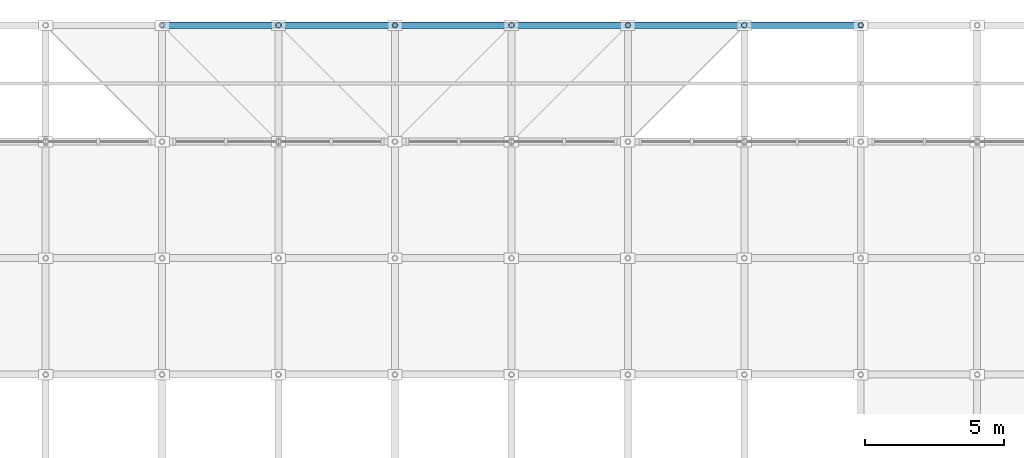
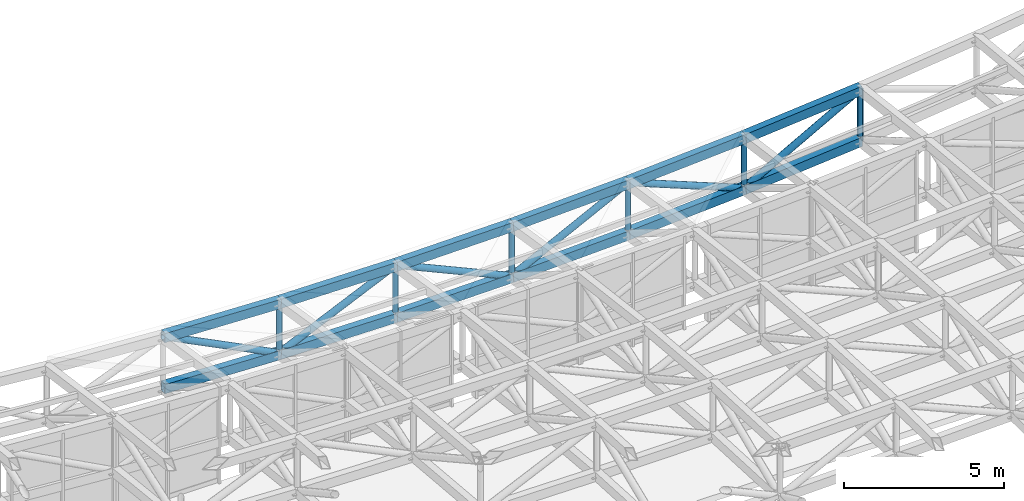
# One storey, part 56 of 111: 24 members.
"""IFC4 building model written with IfcOpenShell, lengths in metres."""

from ifc_helpers import new_model, si_unit, direction, frame, origin, origin_2d, place, context, subcontext, project, spatial, hollow_rectangle, hollow_circle, extrude, material, material_profile, profile_set, type_object, element, save


model = new_model("IFC4")

# Units and contexts
model_context = context("Model", 3, precision=1e-05, world=origin(), true_north=direction((0.0, 1.0)))
body_context = subcontext(model_context, "Body", "Model", "MODEL_VIEW")
ifc_project = project(units=[si_unit("LENGTHUNIT", "METRE"), si_unit("AREAUNIT", "SQUARE_METRE"), si_unit("VOLUMEUNIT", "CUBIC_METRE"), si_unit("PLANEANGLEUNIT", "RADIAN"), si_unit("MASSUNIT", "GRAM", prefix="KILO")], contexts=[model_context])

# Site, building, storey
site_placement = place(None, origin())
site = spatial("IfcSite", under=ifc_project, at=site_placement, CompositionType="ELEMENT")
building_placement = place(site_placement, origin())
building = spatial("IfcBuilding", under=site, at=building_placement, Name="Cumbredor Promenade Congress Hotel", CompositionType="ELEMENT")
storey_placement = place(building_placement, frame((0.0, 0.0, 15.1201171875)))
storey = spatial("IfcBuildingStorey", under=building, at=storey_placement, Name="L04", CompositionType="ELEMENT", Elevation=15.1201171875)

# Members
ifc_material = material(Name="Steel ASTM A500 Grade C", Category="steel")
ifc_material_profile_1 = material_profile(ifc_material, hollow_rectangle(XDim=0.25, YDim=0.35009765625, WallThickness=0.01611328125, at=origin_2d()), Name="HSS 350x250x16")
ifc_profile_set_1 = profile_set([ifc_material_profile_1], Name="Steel ASTM A500 Grade C")
member_type_1 = type_object("IfcMemberType", Name="Forum Roof Truss Chord", PredefinedType="CHORD", material=ifc_profile_set_1)
for number, where, z_axis, x_axis, name in (
    (1, (126.0, 121.800048828125, 2.85498046875), (0.999286944012, 0.0, -0.037757165239), (0.0, 1.0, 0.0), "Pre-Function and Breakout Meeting Forum X Top Chord 10.11"),
    (2, (126.0, 121.800048828125, 0.905029296875), (0.999286944012, 0.0, -0.037757165239), (0.0, 1.0, 0.0), "Pre-Function and Breakout Meeting Forum X Bottom Chord 10.11"),
):
    element("IfcMember", number, at=place(storey_placement, frame(where, z_axis=z_axis, x_axis=x_axis)), inside=storey, type_object=member_type_1, Name=name, PredefinedType="CHORD", context=body_context, shape_type="SweptSolid", body=[
        extrude(hollow_rectangle(XDim=0.25, YDim=0.35009765625, WallThickness=0.01611328125, at=origin_2d()), origin(), (0.0, 0.0, 1.0), 4.202880859375),
    ])
for number, where, z_axis, x_axis, name in (
    (3, (130.199951171875, 121.800048828125, 2.6962890625), (0.999921183385, 0.0, -0.012554959926), (0.0, 1.0, 0.0), "Pre-Function and Breakout Meeting Forum X Top Chord 11.11"),
    (4, (130.199951171875, 121.800048828125, 0.746337890625), (0.999921183385, 0.0, -0.012554959926), (0.0, 1.0, 0.0), "Pre-Function and Breakout Meeting Forum X Bottom Chord 11.11"),
):
    element("IfcMember", number, at=place(storey_placement, frame(where, z_axis=z_axis, x_axis=x_axis)), inside=storey, type_object=member_type_1, Name=name, PredefinedType="CHORD", context=body_context, shape_type="SweptSolid", body=[
        extrude(hollow_rectangle(XDim=0.25, YDim=0.35009765625, WallThickness=0.01611328125, at=origin_2d()), origin(), (0.0, 0.0, 1.0), 4.2001953125),
    ])
for number, where, z_axis, x_axis, name in (
    (5, (134.39990234375, 121.800048828125, 2.6435546875), (0.999921192546, 0.0, 0.012554230271), (0.0, 1.0, 0.0), "Pre-Function and Breakout Meeting Forum X Top Chord 12.11"),
    (6, (134.39990234375, 121.800048828125, 0.693603515625), (0.999921192546, 0.0, 0.012554230271), (0.0, 1.0, 0.0), "Pre-Function and Breakout Meeting Forum X Bottom Chord 12.11"),
):
    element("IfcMember", number, at=place(storey_placement, frame(where, z_axis=z_axis, x_axis=x_axis)), inside=storey, type_object=member_type_1, Name=name, PredefinedType="CHORD", context=body_context, shape_type="SweptSolid", body=[
        extrude(hollow_rectangle(XDim=0.25, YDim=0.35009765625, WallThickness=0.01611328125, at=origin_2d()), origin(), (0.0, 0.0, 1.0), 4.200439453125),
    ])
for number, where, z_axis, x_axis, name in (
    (7, (138.60009765625, 121.800048828125, 2.6962890625), (0.999286944012, 0.0, 0.037757165239), (0.0, 1.0, 0.0), "Pre-Function and Breakout Meeting Forum X Top Chord 13.11"),
    (8, (138.60009765625, 121.800048828125, 0.746337890625), (0.999286944012, 0.0, 0.037757165239), (0.0, 1.0, 0.0), "Pre-Function and Breakout Meeting Forum X Bottom Chord 13.11"),
):
    element("IfcMember", number, at=place(storey_placement, frame(where, z_axis=z_axis, x_axis=x_axis)), inside=storey, type_object=member_type_1, Name=name, PredefinedType="CHORD", context=body_context, shape_type="SweptSolid", body=[
        extrude(hollow_rectangle(XDim=0.25, YDim=0.35009765625, WallThickness=0.01611328125, at=origin_2d()), origin(), (0.0, 0.0, 1.0), 4.202880859375),
    ])
for number, where, z_axis, x_axis, name in (
    (9, (142.800048828125, 121.800048828125, 2.85498046875), (0.998024259177, 0.0, 0.06282975485), (0.0, 1.0, 0.0), "Pre-Function and Breakout Meeting Forum X Top Chord 14.11"),
    (10, (142.800048828125, 121.800048828125, 0.905029296875), (0.998024259177, 0.0, 0.06282975485), (0.0, 1.0, 0.0), "Pre-Function and Breakout Meeting Forum X Bottom Chord 14.11"),
):
    element("IfcMember", number, at=place(storey_placement, frame(where, z_axis=z_axis, x_axis=x_axis)), inside=storey, type_object=member_type_1, Name=name, PredefinedType="CHORD", context=body_context, shape_type="SweptSolid", body=[
        extrude(hollow_rectangle(XDim=0.25, YDim=0.35009765625, WallThickness=0.01611328125, at=origin_2d()), origin(), (0.0, 0.0, 1.0), 4.208251953125),
    ])
for number, where, z_axis, x_axis, name in (
    (11, (147.0, 121.800048828125, 3.119384765625), (0.996134471083, 0.0, 0.087841422579), (0.0, 1.0, 0.0), "Pre-Function and Breakout Meeting Forum X Top Chord 15.11"),
    (12, (147.0, 121.800048828125, 1.16943359375), (0.996134471083, 0.0, 0.087841422579), (0.0, 1.0, 0.0), "Pre-Function and Breakout Meeting Forum X Bottom Chord 15.11"),
):
    element("IfcMember", number, at=place(storey_placement, frame(where, z_axis=z_axis, x_axis=x_axis)), inside=storey, type_object=member_type_1, Name=name, PredefinedType="CHORD", context=body_context, shape_type="SweptSolid", body=[
        extrude(hollow_rectangle(XDim=0.25, YDim=0.35009765625, WallThickness=0.01611328125, at=origin_2d()), origin(), (0.0, 0.0, 1.0), 4.21630859375),
    ])
ifc_material_profile_2 = material_profile(ifc_material, hollow_circle(Radius=0.122314453125, WallThickness=0.012451171875, at=origin_2d()), Name="CHS 244.5x12.5")
ifc_profile_set_2 = profile_set([ifc_material_profile_2], Name="Steel ASTM A500 Grade C")
member_type_2 = type_object("IfcMemberType", Name="Space Frame Web Diagonal D2", PredefinedType="BRACE", material=ifc_profile_set_2)
member_1_placement = place(storey_placement, frame((126.0, 121.800048828125, 2.85498046875), z_axis=(0.893688290422, 0.0, -0.448688354611), x_axis=(0.0, 1.0, 0.0)))
element("IfcMember", 13, at=member_1_placement, inside=storey, type_object=member_type_2, Name="Pre-Function and Breakout Meeting Forum X Web Diagonal 10.11", PredefinedType="BRACE", context=body_context, shape_type="SweptSolid", body=[
    extrude(hollow_circle(Radius=0.122314453125, WallThickness=0.012451171875, at=origin_2d()), origin(), (0.0, 0.0, 1.0), 4.699462890625),
])
member_2_placement = place(storey_placement, frame((130.199951171875, 121.800048828125, 0.746337890625), z_axis=(0.911332775988, 0.0, 0.411670464582), x_axis=(0.0, 1.0, 0.0)))
element("IfcMember", 14, at=member_2_placement, inside=storey, type_object=member_type_2, Name="Pre-Function and Breakout Meeting Forum X Web Diagonal 11.11", PredefinedType="BRACE", context=body_context, shape_type="SweptSolid", body=[
    extrude(hollow_circle(Radius=0.122314453125, WallThickness=0.012451171875, at=origin_2d()), origin(), (0.0, 0.0, 1.0), 4.608642578125),
])
member_3_placement = place(storey_placement, frame((134.39990234375, 121.800048828125, 2.6435546875), z_axis=(0.911341753186, 0.0, -0.411650590793), x_axis=(0.0, 1.0, 0.0)))
element("IfcMember", 15, at=member_3_placement, inside=storey, type_object=member_type_2, Name="Pre-Function and Breakout Meeting Forum X Web Diagonal 12.11", PredefinedType="BRACE", context=body_context, shape_type="SweptSolid", body=[
    extrude(hollow_circle(Radius=0.122314453125, WallThickness=0.012451171875, at=origin_2d()), origin(), (0.0, 0.0, 1.0), 4.60888671875),
])
member_4_placement = place(storey_placement, frame((138.60009765625, 121.800048828125, 0.746337890625), z_axis=(0.893688290422, 0.0, 0.448688354611), x_axis=(0.0, 1.0, 0.0)))
element("IfcMember", 16, at=member_4_placement, inside=storey, type_object=member_type_2, Name="Pre-Function and Breakout Meeting Forum X Web Diagonal 13.11", PredefinedType="BRACE", context=body_context, shape_type="SweptSolid", body=[
    extrude(hollow_circle(Radius=0.122314453125, WallThickness=0.012451171875, at=origin_2d()), origin(), (0.0, 0.0, 1.0), 4.699462890625),
])
member_5_placement = place(storey_placement, frame((142.800048828125, 121.800048828125, 2.85498046875), z_axis=(0.928051949605, 0.0, -0.372450773706), x_axis=(0.0, 1.0, 0.0)))
element("IfcMember", 17, at=member_5_placement, inside=storey, type_object=member_type_2, Name="Pre-Function and Breakout Meeting Forum X Web Diagonal 14.11", PredefinedType="BRACE", context=body_context, shape_type="SweptSolid", body=[
    extrude(hollow_circle(Radius=0.122314453125, WallThickness=0.012451171875, at=origin_2d()), origin(), (0.0, 0.0, 1.0), 4.525634765625),
])
member_6_placement = place(storey_placement, frame((147.0, 121.800048828125, 1.16943359375), z_axis=(0.875304447621, 0.0, 0.483572253107), x_axis=(0.0, 1.0, 0.0)))
element("IfcMember", 18, at=member_6_placement, inside=storey, type_object=member_type_2, Name="Pre-Function and Breakout Meeting Forum X Web Diagonal 15.11", PredefinedType="BRACE", context=body_context, shape_type="SweptSolid", body=[
    extrude(hollow_circle(Radius=0.122314453125, WallThickness=0.012451171875, at=origin_2d()), origin(), (0.0, 0.0, 1.0), 4.79833984375),
])
ifc_material_profile_3 = material_profile(ifc_material, hollow_circle(Radius=0.096923828125, WallThickness=0.010009765625, at=origin_2d()), Name="CHS 193.7x10")
ifc_profile_set_3 = profile_set([ifc_material_profile_3], Name="Steel ASTM A500 Grade C")
member_type_3 = type_object("IfcMemberType", Name="Space Frame Web Post P1", PredefinedType="BRACE", material=ifc_profile_set_3)
for number, where, z_axis, x_axis, name in (
    (19, (130.199951171875, 121.800048828125, 0.746337890625), (0.0, 0.0, 1.0), (1.0, 0.0, 0.0), "Pre-Function and Breakout Meeting Forum Space Frame Web Post 11.11"),
    (20, (134.39990234375, 121.800048828125, 0.693603515625), (0.0, 0.0, 1.0), (1.0, 0.0, 0.0), "Pre-Function and Breakout Meeting Forum Space Frame Web Post 12.11"),
    (21, (138.60009765625, 121.800048828125, 0.746337890625), (0.0, 0.0, 1.0), (1.0, 0.0, 0.0), "Pre-Function and Breakout Meeting Forum Space Frame Web Post 13.11"),
    (22, (142.800048828125, 121.800048828125, 0.905029296875), (0.0, 0.0, 1.0), (1.0, 0.0, 0.0), "Pre-Function and Breakout Meeting Forum Space Frame Web Post 14.11"),
    (23, (147.0, 121.800048828125, 1.16943359375), (0.0, 0.0, 1.0), (1.0, 0.0, 0.0), "Pre-Function and Breakout Meeting Forum Space Frame Web Post 15.11"),
    (24, (151.199951171875, 121.800048828125, 1.539794921875), (0.0, 0.0, 1.0), (1.0, 0.0, 0.0), "Pre-Function and Breakout Meeting Forum Space Frame Web Post 16.11"),
):
    element("IfcMember", number, at=place(storey_placement, frame(where, z_axis=z_axis, x_axis=x_axis)), inside=storey, type_object=member_type_3, Name=name, PredefinedType="BRACE", context=body_context, shape_type="SweptSolid", body=[
        extrude(hollow_circle(Radius=0.096923828125, WallThickness=0.010009765625, at=origin_2d()), origin(), (0.0, 0.0, 1.0), 1.949951171875),
    ])

save(model, "model.ifc")
